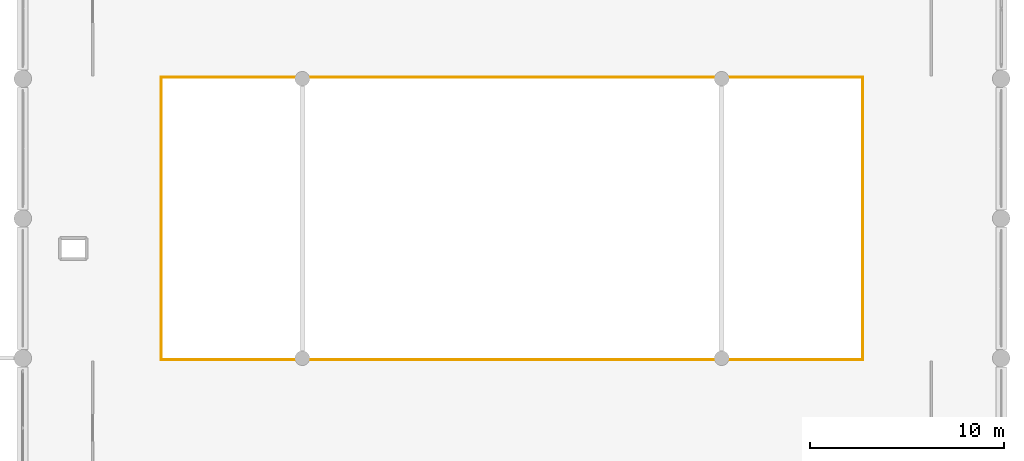
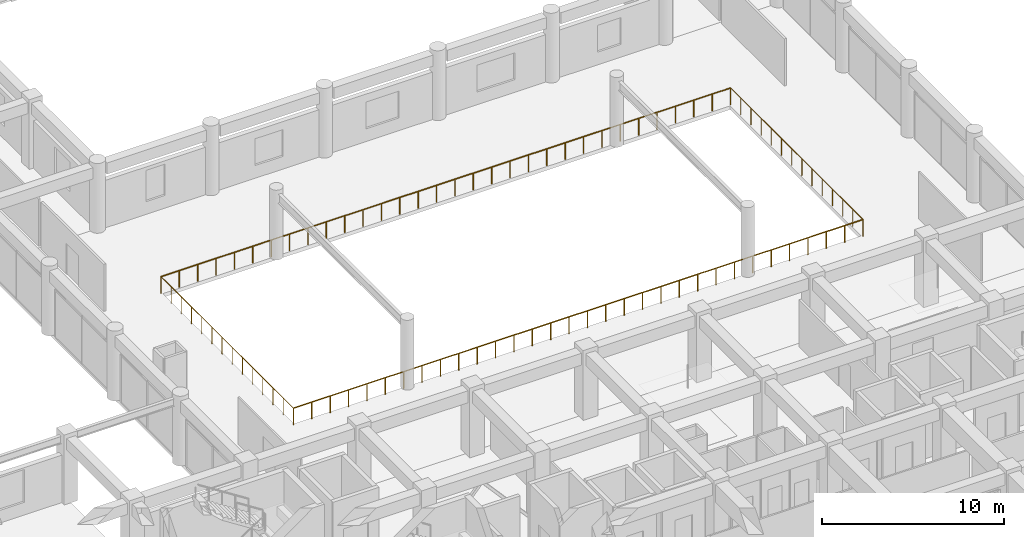
# One storey, part 52 of 54: 4 railings.
"""IFC4 building model written with IfcOpenShell, lengths in metres."""

from ifc_helpers import new_model, si_unit, direction, frame, origin, origin_2d, place, context, subcontext, project, spatial, circle, extrude, material, type_object, element, save


model = new_model("IFC4")

# Units and contexts
model_context = context("Model", 3, precision=1e-05, world=origin(), true_north=direction((0.0, 1.0)))
body_context = subcontext(model_context, "Body", "Model", "MODEL_VIEW")
ifc_project = project(units=[si_unit("LENGTHUNIT", "METRE"), si_unit("AREAUNIT", "SQUARE_METRE"), si_unit("VOLUMEUNIT", "CUBIC_METRE"), si_unit("PLANEANGLEUNIT", "RADIAN"), si_unit("MASSUNIT", "GRAM", prefix="KILO")], contexts=[model_context])

# Site, building, storey
site_placement = place(None, origin())
site = spatial("IfcSite", under=ifc_project, at=site_placement, CompositionType="ELEMENT")
building_placement = place(site_placement, origin())
building = spatial("IfcBuilding", under=site, at=building_placement, Name="Kazehaya Institute of Natural Sciences", CompositionType="ELEMENT")
storey_placement = place(building_placement, frame((0.0, 0.0, 10.43994140625)))
storey = spatial("IfcBuildingStorey", under=building, at=storey_placement, Name="L02", CompositionType="ELEMENT", Elevation=10.43994140625)

# Railings
ifc_material = material(Name="Structural steel SN490B", Category="steel")
railing_type = type_object("IfcRailingType", Name="RL-GUARD-VOID", PredefinedType="GUARDRAIL", material=ifc_material)
railing_1_placement = place(storey_placement, frame((68.919921875, 42.719970703125, 0.0)))
element("IfcRailing", 1, at=railing_1_placement, inside=storey, type_object=railing_type, Name="L02 void guard GRD-L02-040", PredefinedType="GUARDRAIL", context=body_context, shape_type="SweptSolid", body=[
    extrude(circle(Radius=0.02392578125, at=origin_2d()), frame((0.0, 0.0, 1.1259765625), z_axis=(1.0, 0.0, 0.0), x_axis=(0.0, 1.0, 0.0)), (0.0, 0.0, 1.0), 36.16015625),
    extrude(circle(Radius=0.02099609375, at=origin_2d()), origin(), (0.0, 0.0, 1.0), 1.101806640625),
    extrude(circle(Radius=0.02099609375, at=origin_2d()), frame((1.16650390625, 0.0, 0.0)), (0.0, 0.0, 1.0), 1.101806640625),
    extrude(circle(Radius=0.02099609375, at=origin_2d()), frame((2.3330078125, 0.0, 0.0)), (0.0, 0.0, 1.0), 1.101806640625),
    extrude(circle(Radius=0.02099609375, at=origin_2d()), frame((3.499267578125, 0.0, 0.0)), (0.0, 0.0, 1.0), 1.101806640625),
    extrude(circle(Radius=0.02099609375, at=origin_2d()), frame((4.665771484375, 0.0, 0.0)), (0.0, 0.0, 1.0), 1.101806640625),
    extrude(circle(Radius=0.02099609375, at=origin_2d()), frame((5.832275390625, 0.0, 0.0)), (0.0, 0.0, 1.0), 1.101806640625),
    extrude(circle(Radius=0.02099609375, at=origin_2d()), frame((6.998779296875, 0.0, 0.0)), (0.0, 0.0, 1.0), 1.101806640625),
    extrude(circle(Radius=0.02099609375, at=origin_2d()), frame((8.165283203125, 0.0, 0.0)), (0.0, 0.0, 1.0), 1.101806640625),
    extrude(circle(Radius=0.02099609375, at=origin_2d()), frame((9.33154296875, 0.0, 0.0)), (0.0, 0.0, 1.0), 1.101806640625),
    extrude(circle(Radius=0.02099609375, at=origin_2d()), frame((10.498046875, 0.0, 0.0)), (0.0, 0.0, 1.0), 1.101806640625),
    extrude(circle(Radius=0.02099609375, at=origin_2d()), frame((11.66455078125, 0.0, 0.0)), (0.0, 0.0, 1.0), 1.101806640625),
    extrude(circle(Radius=0.02099609375, at=origin_2d()), frame((12.8310546875, 0.0, 0.0)), (0.0, 0.0, 1.0), 1.101806640625),
    extrude(circle(Radius=0.02099609375, at=origin_2d()), frame((13.99755859375, 0.0, 0.0)), (0.0, 0.0, 1.0), 1.101806640625),
    extrude(circle(Radius=0.02099609375, at=origin_2d()), frame((15.163818359375, 0.0, 0.0)), (0.0, 0.0, 1.0), 1.101806640625),
    extrude(circle(Radius=0.02099609375, at=origin_2d()), frame((16.330322265625, 0.0, 0.0)), (0.0, 0.0, 1.0), 1.101806640625),
    extrude(circle(Radius=0.02099609375, at=origin_2d()), frame((17.496826171875, 0.0, 0.0)), (0.0, 0.0, 1.0), 1.101806640625),
    extrude(circle(Radius=0.02099609375, at=origin_2d()), frame((18.663330078125, 0.0, 0.0)), (0.0, 0.0, 1.0), 1.101806640625),
    extrude(circle(Radius=0.02099609375, at=origin_2d()), frame((19.829833984375, 0.0, 0.0)), (0.0, 0.0, 1.0), 1.101806640625),
    extrude(circle(Radius=0.02099609375, at=origin_2d()), frame((20.996337890625, 0.0, 0.0)), (0.0, 0.0, 1.0), 1.101806640625),
    extrude(circle(Radius=0.02099609375, at=origin_2d()), frame((22.16259765625, 0.0, 0.0)), (0.0, 0.0, 1.0), 1.101806640625),
    extrude(circle(Radius=0.02099609375, at=origin_2d()), frame((23.3291015625, 0.0, 0.0)), (0.0, 0.0, 1.0), 1.101806640625),
    extrude(circle(Radius=0.02099609375, at=origin_2d()), frame((24.49560546875, 0.0, 0.0)), (0.0, 0.0, 1.0), 1.101806640625),
    extrude(circle(Radius=0.02099609375, at=origin_2d()), frame((25.662109375, 0.0, 0.0)), (0.0, 0.0, 1.0), 1.101806640625),
    extrude(circle(Radius=0.02099609375, at=origin_2d()), frame((26.82861328125, 0.0, 0.0)), (0.0, 0.0, 1.0), 1.101806640625),
    extrude(circle(Radius=0.02099609375, at=origin_2d()), frame((27.994873046875, 0.0, 0.0)), (0.0, 0.0, 1.0), 1.101806640625),
    extrude(circle(Radius=0.02099609375, at=origin_2d()), frame((29.161376953125, 0.0, 0.0)), (0.0, 0.0, 1.0), 1.101806640625),
    extrude(circle(Radius=0.02099609375, at=origin_2d()), frame((30.327880859375, 0.0, 0.0)), (0.0, 0.0, 1.0), 1.101806640625),
    extrude(circle(Radius=0.02099609375, at=origin_2d()), frame((31.494384765625, 0.0, 0.0)), (0.0, 0.0, 1.0), 1.101806640625),
    extrude(circle(Radius=0.02099609375, at=origin_2d()), frame((32.660888671875, 0.0, 0.0)), (0.0, 0.0, 1.0), 1.101806640625),
    extrude(circle(Radius=0.02099609375, at=origin_2d()), frame((33.8271484375, 0.0, 0.0)), (0.0, 0.0, 1.0), 1.101806640625),
    extrude(circle(Radius=0.02099609375, at=origin_2d()), frame((34.99365234375, 0.0, 0.0)), (0.0, 0.0, 1.0), 1.101806640625),
    extrude(circle(Radius=0.02099609375, at=origin_2d()), frame((36.16015625, 0.0, 0.0)), (0.0, 0.0, 1.0), 1.101806640625),
])
railing_2_placement = place(storey_placement, frame((68.919921875, 57.280029296875, 0.0)))
element("IfcRailing", 2, at=railing_2_placement, inside=storey, type_object=railing_type, Name="L02 void guard GRD-L02-041", PredefinedType="GUARDRAIL", context=body_context, shape_type="SweptSolid", body=[
    extrude(circle(Radius=0.02392578125, at=origin_2d()), frame((0.0, 0.0, 1.1259765625), z_axis=(1.0, 0.0, 0.0), x_axis=(0.0, 1.0, 0.0)), (0.0, 0.0, 1.0), 36.16015625),
    extrude(circle(Radius=0.02099609375, at=origin_2d()), origin(), (0.0, 0.0, 1.0), 1.101806640625),
    extrude(circle(Radius=0.02099609375, at=origin_2d()), frame((1.16650390625, 0.0, 0.0)), (0.0, 0.0, 1.0), 1.101806640625),
    extrude(circle(Radius=0.02099609375, at=origin_2d()), frame((2.3330078125, 0.0, 0.0)), (0.0, 0.0, 1.0), 1.101806640625),
    extrude(circle(Radius=0.02099609375, at=origin_2d()), frame((3.499267578125, 0.0, 0.0)), (0.0, 0.0, 1.0), 1.101806640625),
    extrude(circle(Radius=0.02099609375, at=origin_2d()), frame((4.665771484375, 0.0, 0.0)), (0.0, 0.0, 1.0), 1.101806640625),
    extrude(circle(Radius=0.02099609375, at=origin_2d()), frame((5.832275390625, 0.0, 0.0)), (0.0, 0.0, 1.0), 1.101806640625),
    extrude(circle(Radius=0.02099609375, at=origin_2d()), frame((6.998779296875, 0.0, 0.0)), (0.0, 0.0, 1.0), 1.101806640625),
    extrude(circle(Radius=0.02099609375, at=origin_2d()), frame((8.165283203125, 0.0, 0.0)), (0.0, 0.0, 1.0), 1.101806640625),
    extrude(circle(Radius=0.02099609375, at=origin_2d()), frame((9.33154296875, 0.0, 0.0)), (0.0, 0.0, 1.0), 1.101806640625),
    extrude(circle(Radius=0.02099609375, at=origin_2d()), frame((10.498046875, 0.0, 0.0)), (0.0, 0.0, 1.0), 1.101806640625),
    extrude(circle(Radius=0.02099609375, at=origin_2d()), frame((11.66455078125, 0.0, 0.0)), (0.0, 0.0, 1.0), 1.101806640625),
    extrude(circle(Radius=0.02099609375, at=origin_2d()), frame((12.8310546875, 0.0, 0.0)), (0.0, 0.0, 1.0), 1.101806640625),
    extrude(circle(Radius=0.02099609375, at=origin_2d()), frame((13.99755859375, 0.0, 0.0)), (0.0, 0.0, 1.0), 1.101806640625),
    extrude(circle(Radius=0.02099609375, at=origin_2d()), frame((15.163818359375, 0.0, 0.0)), (0.0, 0.0, 1.0), 1.101806640625),
    extrude(circle(Radius=0.02099609375, at=origin_2d()), frame((16.330322265625, 0.0, 0.0)), (0.0, 0.0, 1.0), 1.101806640625),
    extrude(circle(Radius=0.02099609375, at=origin_2d()), frame((17.496826171875, 0.0, 0.0)), (0.0, 0.0, 1.0), 1.101806640625),
    extrude(circle(Radius=0.02099609375, at=origin_2d()), frame((18.663330078125, 0.0, 0.0)), (0.0, 0.0, 1.0), 1.101806640625),
    extrude(circle(Radius=0.02099609375, at=origin_2d()), frame((19.829833984375, 0.0, 0.0)), (0.0, 0.0, 1.0), 1.101806640625),
    extrude(circle(Radius=0.02099609375, at=origin_2d()), frame((20.996337890625, 0.0, 0.0)), (0.0, 0.0, 1.0), 1.101806640625),
    extrude(circle(Radius=0.02099609375, at=origin_2d()), frame((22.16259765625, 0.0, 0.0)), (0.0, 0.0, 1.0), 1.101806640625),
    extrude(circle(Radius=0.02099609375, at=origin_2d()), frame((23.3291015625, 0.0, 0.0)), (0.0, 0.0, 1.0), 1.101806640625),
    extrude(circle(Radius=0.02099609375, at=origin_2d()), frame((24.49560546875, 0.0, 0.0)), (0.0, 0.0, 1.0), 1.101806640625),
    extrude(circle(Radius=0.02099609375, at=origin_2d()), frame((25.662109375, 0.0, 0.0)), (0.0, 0.0, 1.0), 1.101806640625),
    extrude(circle(Radius=0.02099609375, at=origin_2d()), frame((26.82861328125, 0.0, 0.0)), (0.0, 0.0, 1.0), 1.101806640625),
    extrude(circle(Radius=0.02099609375, at=origin_2d()), frame((27.994873046875, 0.0, 0.0)), (0.0, 0.0, 1.0), 1.101806640625),
    extrude(circle(Radius=0.02099609375, at=origin_2d()), frame((29.161376953125, 0.0, 0.0)), (0.0, 0.0, 1.0), 1.101806640625),
    extrude(circle(Radius=0.02099609375, at=origin_2d()), frame((30.327880859375, 0.0, 0.0)), (0.0, 0.0, 1.0), 1.101806640625),
    extrude(circle(Radius=0.02099609375, at=origin_2d()), frame((31.494384765625, 0.0, 0.0)), (0.0, 0.0, 1.0), 1.101806640625),
    extrude(circle(Radius=0.02099609375, at=origin_2d()), frame((32.660888671875, 0.0, 0.0)), (0.0, 0.0, 1.0), 1.101806640625),
    extrude(circle(Radius=0.02099609375, at=origin_2d()), frame((33.8271484375, 0.0, 0.0)), (0.0, 0.0, 1.0), 1.101806640625),
    extrude(circle(Radius=0.02099609375, at=origin_2d()), frame((34.99365234375, 0.0, 0.0)), (0.0, 0.0, 1.0), 1.101806640625),
    extrude(circle(Radius=0.02099609375, at=origin_2d()), frame((36.16015625, 0.0, 0.0)), (0.0, 0.0, 1.0), 1.101806640625),
])
railing_3_placement = place(storey_placement, frame((68.919921875, 42.719970703125, 0.0)))
element("IfcRailing", 3, at=railing_3_placement, inside=storey, type_object=railing_type, Name="L02 void guard GRD-L02-042", PredefinedType="GUARDRAIL", context=body_context, shape_type="SweptSolid", body=[
    extrude(circle(Radius=0.02392578125, at=origin_2d()), frame((0.0, 0.0, 1.1259765625), z_axis=(0.0, 1.0, 0.0), x_axis=(-1.0, 0.0, 0.0)), (0.0, 0.0, 1.0), 14.56005859375),
    extrude(circle(Radius=0.02099609375, at=origin_2d()), origin(), (0.0, 0.0, 1.0), 1.101806640625),
    extrude(circle(Radius=0.02099609375, at=origin_2d()), frame((0.0, 1.1201171875, 0.0)), (0.0, 0.0, 1.0), 1.101806640625),
    extrude(circle(Radius=0.02099609375, at=origin_2d()), frame((0.0, 2.239990234375, 0.0)), (0.0, 0.0, 1.0), 1.101806640625),
    extrude(circle(Radius=0.02099609375, at=origin_2d()), frame((0.0, 3.360107421875, 0.0)), (0.0, 0.0, 1.0), 1.101806640625),
    extrude(circle(Radius=0.02099609375, at=origin_2d()), frame((0.0, 4.47998046875, 0.0)), (0.0, 0.0, 1.0), 1.101806640625),
    extrude(circle(Radius=0.02099609375, at=origin_2d()), frame((0.0, 5.60009765625, 0.0)), (0.0, 0.0, 1.0), 1.101806640625),
    extrude(circle(Radius=0.02099609375, at=origin_2d()), frame((0.0, 6.719970703125, 0.0)), (0.0, 0.0, 1.0), 1.101806640625),
    extrude(circle(Radius=0.02099609375, at=origin_2d()), frame((0.0, 7.840087890625, 0.0)), (0.0, 0.0, 1.0), 1.101806640625),
    extrude(circle(Radius=0.02099609375, at=origin_2d()), frame((0.0, 8.9599609375, 0.0)), (0.0, 0.0, 1.0), 1.101806640625),
    extrude(circle(Radius=0.02099609375, at=origin_2d()), frame((0.0, 10.080078125, 0.0)), (0.0, 0.0, 1.0), 1.101806640625),
    extrude(circle(Radius=0.02099609375, at=origin_2d()), frame((0.0, 11.199951171875, 0.0)), (0.0, 0.0, 1.0), 1.101806640625),
    extrude(circle(Radius=0.02099609375, at=origin_2d()), frame((0.0, 12.320068359375, 0.0)), (0.0, 0.0, 1.0), 1.101806640625),
    extrude(circle(Radius=0.02099609375, at=origin_2d()), frame((0.0, 13.43994140625, 0.0)), (0.0, 0.0, 1.0), 1.101806640625),
    extrude(circle(Radius=0.02099609375, at=origin_2d()), frame((0.0, 14.56005859375, 0.0)), (0.0, 0.0, 1.0), 1.101806640625),
])
railing_4_placement = place(storey_placement, frame((105.080078125, 42.719970703125, 0.0)))
element("IfcRailing", 4, at=railing_4_placement, inside=storey, type_object=railing_type, Name="L02 void guard GRD-L02-043", PredefinedType="GUARDRAIL", context=body_context, shape_type="SweptSolid", body=[
    extrude(circle(Radius=0.02392578125, at=origin_2d()), frame((0.0, 0.0, 1.1259765625), z_axis=(0.0, 1.0, 0.0), x_axis=(-1.0, 0.0, 0.0)), (0.0, 0.0, 1.0), 14.56005859375),
    extrude(circle(Radius=0.02099609375, at=origin_2d()), origin(), (0.0, 0.0, 1.0), 1.101806640625),
    extrude(circle(Radius=0.02099609375, at=origin_2d()), frame((0.0, 1.1201171875, 0.0)), (0.0, 0.0, 1.0), 1.101806640625),
    extrude(circle(Radius=0.02099609375, at=origin_2d()), frame((0.0, 2.239990234375, 0.0)), (0.0, 0.0, 1.0), 1.101806640625),
    extrude(circle(Radius=0.02099609375, at=origin_2d()), frame((0.0, 3.360107421875, 0.0)), (0.0, 0.0, 1.0), 1.101806640625),
    extrude(circle(Radius=0.02099609375, at=origin_2d()), frame((0.0, 4.47998046875, 0.0)), (0.0, 0.0, 1.0), 1.101806640625),
    extrude(circle(Radius=0.02099609375, at=origin_2d()), frame((0.0, 5.60009765625, 0.0)), (0.0, 0.0, 1.0), 1.101806640625),
    extrude(circle(Radius=0.02099609375, at=origin_2d()), frame((0.0, 6.719970703125, 0.0)), (0.0, 0.0, 1.0), 1.101806640625),
    extrude(circle(Radius=0.02099609375, at=origin_2d()), frame((0.0, 7.840087890625, 0.0)), (0.0, 0.0, 1.0), 1.101806640625),
    extrude(circle(Radius=0.02099609375, at=origin_2d()), frame((0.0, 8.9599609375, 0.0)), (0.0, 0.0, 1.0), 1.101806640625),
    extrude(circle(Radius=0.02099609375, at=origin_2d()), frame((0.0, 10.080078125, 0.0)), (0.0, 0.0, 1.0), 1.101806640625),
    extrude(circle(Radius=0.02099609375, at=origin_2d()), frame((0.0, 11.199951171875, 0.0)), (0.0, 0.0, 1.0), 1.101806640625),
    extrude(circle(Radius=0.02099609375, at=origin_2d()), frame((0.0, 12.320068359375, 0.0)), (0.0, 0.0, 1.0), 1.101806640625),
    extrude(circle(Radius=0.02099609375, at=origin_2d()), frame((0.0, 13.43994140625, 0.0)), (0.0, 0.0, 1.0), 1.101806640625),
    extrude(circle(Radius=0.02099609375, at=origin_2d()), frame((0.0, 14.56005859375, 0.0)), (0.0, 0.0, 1.0), 1.101806640625),
])

save(model, "model.ifc")
